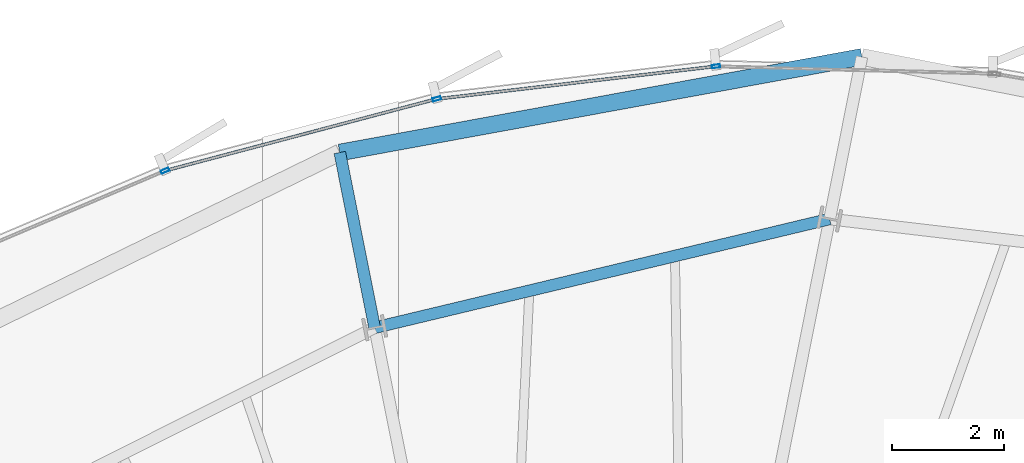
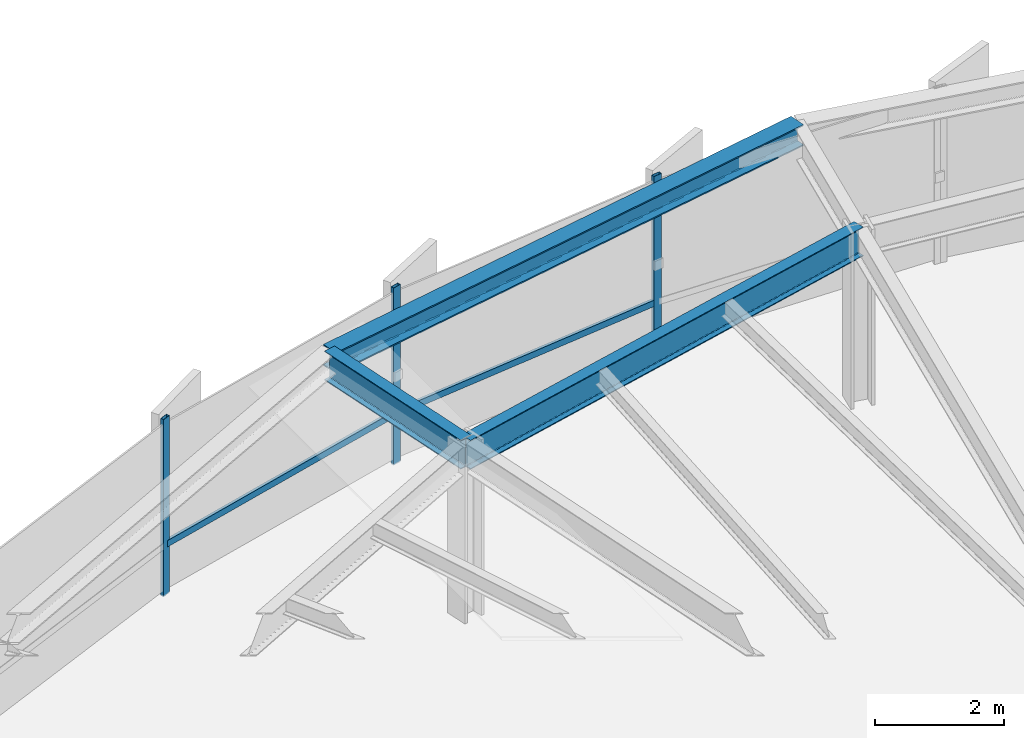
# One storey, part 21 of 33: 5 members, 3 beams, 1 element without a shape of its own.
"""IFC4 building model written with IfcOpenShell, lengths in metres."""

from ifc_helpers import new_model, si_unit, direction, frame, origin, origin_2d, place, context, subcontext, project, spatial, hollow_rectangle, i_section, extrude, source, transform, mapped, material, layer, layer_set, material_profile, profile_set, type_object, element, aggregate, save


model = new_model("IFC4")

# Units and contexts
model_context = context("Model", 3, precision=1e-05, world=origin(), true_north=direction((0.0, 1.0)))
body_context = subcontext(model_context, "Body", "Model", "MODEL_VIEW")
ifc_project = project(units=[si_unit("LENGTHUNIT", "METRE"), si_unit("AREAUNIT", "SQUARE_METRE"), si_unit("VOLUMEUNIT", "CUBIC_METRE"), si_unit("PLANEANGLEUNIT", "RADIAN"), si_unit("MASSUNIT", "GRAM", prefix="KILO"), si_unit("THERMODYNAMICTEMPERATUREUNIT", "KELVIN")], contexts=[model_context])

# Site, building, storey
site_placement = place(None, origin())
site = spatial("IfcSite", under=ifc_project, at=site_placement, CompositionType="ELEMENT")
building_placement = place(site_placement, origin())
building = spatial("IfcBuilding", under=site, at=building_placement, Name="Kethvar Cultural Tower", CompositionType="ELEMENT")
storey_placement = place(building_placement, frame((0.0, 0.0, 110.800048828125)))
storey = spatial("IfcBuildingStorey", under=building, at=storey_placement, Name="L27", CompositionType="ELEMENT", Elevation=110.800048828125)

# Beams
ifc_material_1 = material(Name="Steel S355J2", Category="steel")
ifc_material_profile_1 = material_profile(ifc_material_1, i_section(OverallWidth=0.2099609375, OverallDepth=0.550048828125, WebThickness=0.010986328125, FlangeThickness=0.01708984375, FilletRadius=0.02392578125, at=origin_2d()), Name="Steel S355J2 — IPE550")
ifc_profile_set_1 = profile_set([ifc_material_profile_1], Name="Steel S355J2 — IPE550")
beam_type_1 = type_object("IfcBeamType", Name="BM-IPE550", PredefinedType="BEAM", material=ifc_profile_set_1)
shared_shape_1 = source(origin(), body_context, "Body", "SweptSolid", [
    extrude(i_section(OverallWidth=0.2099609375, OverallDepth=0.550048828125, WebThickness=0.010986328125, FlangeThickness=0.01708984375, FilletRadius=0.02392578125, at=origin_2d()), origin(), (0.0, 0.0, 1.0), 3.199951171875),
])
beam_1_placement = place(storey_placement, frame((42.9189453125, 47.311279296875, 3.072998046875), z_axis=(-0.195088965533, 0.980785550224, 0.0), x_axis=(-0.980785550224, -0.195088965533, 0.0)))
element("IfcBeam", 1, at=beam_1_placement, inside=storey, type_object=beam_type_1, Name="L27 Perimeter Cantilever Beam RC-05", PredefinedType="BEAM", context=body_context, shape_type="MappedRepresentation", body=[
    mapped(shared_shape_1, transform((0.0, 0.0, 0.0), scale=1.0)),
])
shared_shape_2 = source(origin(), body_context, "Body", "SweptSolid", [
    extrude(i_section(OverallWidth=0.2099609375, OverallDepth=0.550048828125, WebThickness=0.010986328125, FlangeThickness=0.01708984375, FilletRadius=0.02392578125, at=origin_2d()), origin(), (0.0, 0.0, 1.0), 8.379150390625),
])
beam_2_placement = place(storey_placement, frame((51.068603515625, 49.25927734375, 3.072998046875), z_axis=(-0.972601380857, -0.232479147355, 0.0), x_axis=(0.232479147355, -0.972601380857, 0.0)))
element("IfcBeam", 2, at=beam_2_placement, inside=storey, type_object=beam_type_1, Name="L27 Column Ring Tie Beam CR-04", PredefinedType="BEAM", context=body_context, shape_type="MappedRepresentation", body=[
    mapped(shared_shape_2, transform((0.0, 0.0, 0.0), scale=1.0)),
])
ifc_material_profile_2 = material_profile(ifc_material_1, i_section(OverallWidth=0.300048828125, OverallDepth=0.39990234375, WebThickness=0.013427734375, FlangeThickness=0.02392578125, FilletRadius=0.027099609375, at=origin_2d()), Name="Steel S355J2 — HEB400")
ifc_profile_set_2 = profile_set([ifc_material_profile_2], Name="Steel S355J2 — HEB400")
beam_type_2 = type_object("IfcBeamType", Name="BM-SP400", PredefinedType="SPANDREL", material=ifc_profile_set_2)
shared_shape_3 = source(origin(), body_context, "Body", "SweptSolid", [
    extrude(i_section(OverallWidth=0.300048828125, OverallDepth=0.39990234375, WebThickness=0.013427734375, FlangeThickness=0.02392578125, FilletRadius=0.027099609375, at=origin_2d()), origin(), (0.0, 0.0, 1.0), 9.5068359375),
])
beam_3_placement = place(storey_placement, frame((51.64599609375, 52.161865234375, 3.14794921875), z_axis=(-0.983648512931, -0.180098870093, 0.0), x_axis=(0.180098870093, -0.983648512931, 0.0)))
element("IfcBeam", 3, at=beam_3_placement, inside=storey, type_object=beam_type_2, Name="L27 Perimeter Spandrel Beam SP-04", PredefinedType="SPANDREL", context=body_context, shape_type="MappedRepresentation", body=[
    mapped(shared_shape_3, transform((0.0, 0.0, 0.0), scale=1.0)),
])

# Curtain wall, members
ifc_material_2 = material(Name="Aluminium 6063-T6", Category="aluminium")
ifc_layer = layer(ifc_material_2, 0.179931640625, Name="Aluminium 6063-T6", Category="aluminium")
ifc_layer_set = layer_set([ifc_layer], Name="Aluminium 6063-T6 (180 mm)")
curtain_wall_type = type_object("IfcCurtainWallType", Name="CW-SYS-03-Z2", PredefinedType="NOTDEFINED", material=ifc_layer_set)
curtain_wall_placement = place(storey_placement, origin())
curtain_wall = element("IfcCurtainWall", 4, at=curtain_wall_placement, inside=storey, type_object=curtain_wall_type, Name="L27 Curtain Wall Run 02", PredefinedType="NOTDEFINED")
ifc_material_profile_3 = material_profile(ifc_material_2, hollow_rectangle(XDim=0.06005859375, YDim=0.14990234375, WallThickness=0.0048828125, at=origin_2d()), Name="Aluminium 6063-T6 — RHS150x60x5")
ifc_profile_set_3 = profile_set([ifc_material_profile_3], Name="Aluminium 6063-T6 — RHS150x60x5")
member_type_1 = type_object("IfcMemberType", Name="CW-SYS-03-Z2-MUL", PredefinedType="MULLION", material=ifc_profile_set_3)
shared_shape_4 = source(origin(), body_context, "Body", "SweptSolid", [
    extrude(hollow_rectangle(XDim=0.06005859375, YDim=0.14990234375, WallThickness=0.0048828125, at=origin_2d()), origin(), (0.0, 0.0, 1.0), 3.349853515625),
])
member_1_placement = place(storey_placement, frame((49.03271484375, 51.99365234375, 0.0), z_axis=(0.0, 0.0, 1.0), x_axis=(0.116220038558, -0.99322349078, 0.0)))
member_1 = element("IfcMember", 5, at=member_1_placement, type_object=member_type_1, Name="CW-L27-R02 Mullion 2", PredefinedType="MULLION", context=body_context, shape_type="MappedRepresentation", body=[
    mapped(shared_shape_4, transform((0.0, 0.0, 0.0), scale=1.0)),
])
member_2_placement = place(storey_placement, frame((44.031982421875, 51.40966796875, 0.0), z_axis=(0.0, 0.0, 1.0), x_axis=(0.255614496558, -0.966778790184, 0.0)))
member_2 = element("IfcMember", 6, at=member_2_placement, type_object=member_type_1, Name="CW-L27-R02 Mullion 3", PredefinedType="MULLION", context=body_context, shape_type="MappedRepresentation", body=[
    mapped(shared_shape_4, transform((0.0, 0.0, 0.0), scale=1.0)),
])
member_3_placement = place(storey_placement, frame((39.165283203125, 50.1240234375, 0.0), z_axis=(0.0, 0.0, 1.0), x_axis=(0.390779325475, -0.920484393557, 0.0)))
member_3 = element("IfcMember", 7, at=member_3_placement, type_object=member_type_1, Name="CW-L27-R02 Mullion 4", PredefinedType="MULLION", context=body_context, shape_type="MappedRepresentation", body=[
    mapped(shared_shape_4, transform((0.0, 0.0, 0.0), scale=1.0)),
])
ifc_material_profile_4 = material_profile(ifc_material_2, hollow_rectangle(XDim=0.054931640625, YDim=0.1201171875, WallThickness=0.00390625, at=origin_2d()), Name="Aluminium 6063-T6 — RHS120x55x4")
ifc_profile_set_4 = profile_set([ifc_material_profile_4], Name="Aluminium 6063-T6 — RHS120x55x4")
member_type_2 = type_object("IfcMemberType", Name="CW-SYS-03-Z2-TRN", PredefinedType="USERDEFINED", material=ifc_profile_set_4)
shared_shape_5 = source(origin(), body_context, "Body", "SweptSolid", [
    extrude(hollow_rectangle(XDim=0.054931640625, YDim=0.1201171875, WallThickness=0.00390625, at=origin_2d()), origin(), (0.0, 0.0, 1.0), 4.964599609375),
])
member_4_placement = place(storey_placement, frame((48.989990234375, 51.988525390625, 0.949951171875), z_axis=(-0.993225256762, -0.116204945375, 0.0), x_axis=(0.116204945375, -0.993225256762, 0.0)))
member_4 = element("IfcMember", 8, at=member_4_placement, type_object=member_type_2, Name="CW-L27-R02 Transom 2", ObjectType="TRANSOM", PredefinedType="USERDEFINED", context=body_context, shape_type="MappedRepresentation", body=[
    mapped(shared_shape_5, transform((0.0, 0.0, 0.0), scale=1.0)),
])
shared_shape_6 = source(origin(), body_context, "Body", "SweptSolid", [
    extrude(hollow_rectangle(XDim=0.054931640625, YDim=0.1201171875, WallThickness=0.00390625, at=origin_2d()), origin(), (0.0, 0.0, 1.0), 4.96337890625),
])
member_5_placement = place(storey_placement, frame((43.990234375, 51.398681640625, 0.949951171875), z_axis=(-0.966775691594, -0.255626215681, 0.0), x_axis=(0.255626215681, -0.966775691594, 0.0)))
member_5 = element("IfcMember", 9, at=member_5_placement, type_object=member_type_2, Name="CW-L27-R02 Transom 3", ObjectType="TRANSOM", PredefinedType="USERDEFINED", context=body_context, shape_type="MappedRepresentation", body=[
    mapped(shared_shape_6, transform((0.0, 0.0, 0.0), scale=1.0)),
])
aggregate(curtain_wall, [member_1, member_2, member_3, member_4, member_5])

save(model, "model.ifc")
